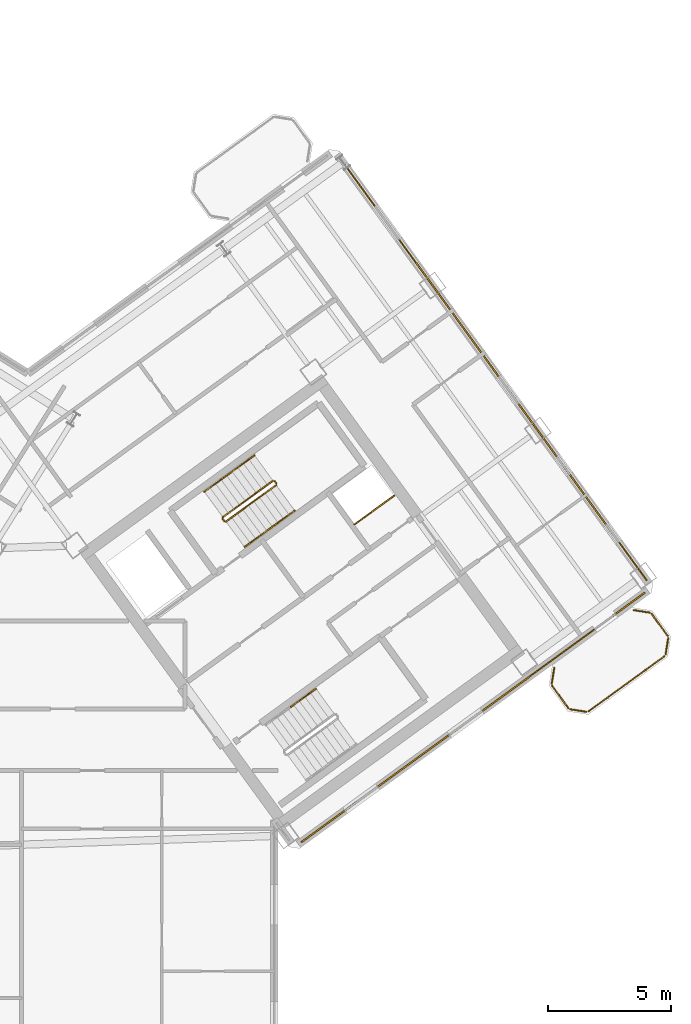
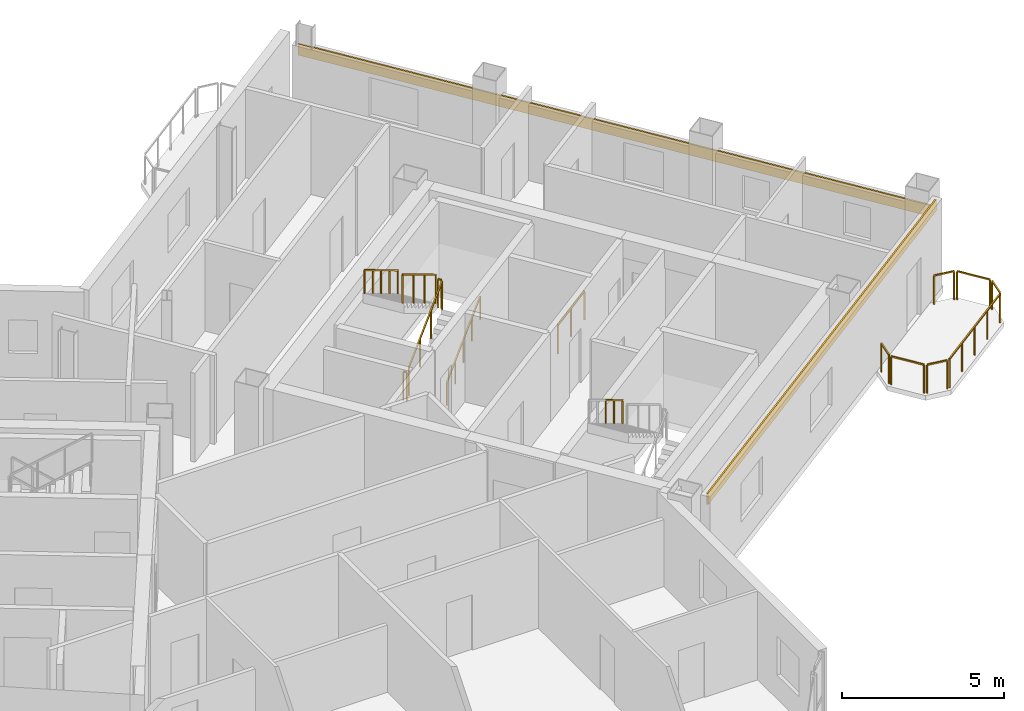
# One storey, part 20 of 21: 17 railings, 2 coverings.
"""IFC4 building model written with IfcOpenShell, lengths in metres."""

from ifc_helpers import new_model, si_unit, direction, frame, origin, origin_2d, place, context, subcontext, project, spatial, rectangle, extrude, source, transform, mapped, material, layer, layer_set, type_object, element, save


model = new_model("IFC4")

# Units and contexts
model_context = context("Model", 3, precision=1e-05, world=origin(), true_north=direction((0.0, 1.0)))
body_context = subcontext(model_context, "Body", "Model", "MODEL_VIEW")
ifc_project = project(units=[si_unit("LENGTHUNIT", "METRE"), si_unit("AREAUNIT", "SQUARE_METRE"), si_unit("VOLUMEUNIT", "CUBIC_METRE"), si_unit("PLANEANGLEUNIT", "RADIAN"), si_unit("MASSUNIT", "GRAM", prefix="KILO")], contexts=[model_context])

# Site, building, storey
site_placement = place(None, origin())
site = spatial("IfcSite", under=ifc_project, at=site_placement, CompositionType="ELEMENT")
building_placement = place(site_placement, origin())
building = spatial("IfcBuilding", under=site, at=building_placement, Name="Tlacorven Tower", CompositionType="ELEMENT")
storey_placement = place(building_placement, frame((0.0, 0.0, 222.0)))
storey = spatial("IfcBuildingStorey", under=building, at=storey_placement, Name="L56", CompositionType="ELEMENT", Elevation=222.0)

# Railings
ifc_material_1 = material(Name="Aluminium and painted steel balustrade", Category="steel")
railing_type_1 = type_object("IfcRailingType", Name="RL-GRD-1100", PredefinedType="GUARDRAIL", material=ifc_material_1)
shared_shape_1 = source(origin(), body_context, "Body", "SweptSolid", [
    extrude(rectangle(XDim=0.048095703125, YDim=0.048095703125, at=origin_2d()), frame((0.0, 0.0, 1.076171875), z_axis=(0.808947177504, 0.587881334972, 0.0), x_axis=(-0.587881334972, 0.808947177504, 0.0)), (0.0, 0.0, 1.0), 2.0),
    extrude(rectangle(XDim=0.0419921875, YDim=0.0419921875, at=origin_2d()), origin(), (0.0, 0.0, 1.0), 1.052001953125),
    extrude(rectangle(XDim=0.0419921875, YDim=0.0419921875, at=origin_2d()), frame((0.80908203125, 0.587890625, 0.0)), (0.0, 0.0, 1.0), 1.052001953125),
    extrude(rectangle(XDim=0.0419921875, YDim=0.0419921875, at=origin_2d()), frame((1.617919921875, 1.17578125, 0.0)), (0.0, 0.0, 1.0), 1.052001953125),
])
railing_1_placement = place(storey_placement, frame((55.506103515625, 25.438232421875, 0.0)))
element("IfcRailing", 1, at=railing_1_placement, inside=storey, type_object=railing_type_1, Name="L56 Electrical Riser E Shaft Guard 1", PredefinedType="GUARDRAIL", context=body_context, shape_type="MappedRepresentation", body=[
    mapped(shared_shape_1, transform((0.0, 0.0, 0.0), scale=1.0)),
])
railing_type_2 = type_object("IfcRailingType", Name="RL-BAL-1100", PredefinedType="BALUSTRADE", material=ifc_material_1)
shared_shape_2 = source(origin(), body_context, "Body", "SweptSolid", [
    extrude(rectangle(XDim=0.048095703125, YDim=0.048095703125, at=origin_2d()), frame((0.0, 0.0, 1.076171875), z_axis=(0.156602868908, 0.987661653326, 0.0), x_axis=(-0.987661653326, 0.156602868908, 0.0)), (0.0, 0.0, 1.0), 0.665771484375),
    extrude(rectangle(XDim=0.0419921875, YDim=0.0419921875, at=origin_2d()), origin(), (0.0, 0.0, 1.0), 1.052001953125),
    extrude(rectangle(XDim=0.0419921875, YDim=0.0419921875, at=origin_2d()), frame((0.104248046875, 0.657470703125, 0.0)), (0.0, 0.0, 1.0), 1.052001953125),
])
railing_2_placement = place(storey_placement, frame((63.539306640625, 18.949951171875, 0.0)))
element("IfcRailing", 2, at=railing_2_placement, inside=storey, type_object=railing_type_2, Name="BAL-L56-E-OUT Guard Railing 3", PredefinedType="BALUSTRADE", context=body_context, shape_type="MappedRepresentation", body=[
    mapped(shared_shape_2, transform((0.0, 0.0, 0.0), scale=1.0)),
])
shared_shape_3 = source(origin(), body_context, "Body", "SweptSolid", [
    extrude(rectangle(XDim=0.048095703125, YDim=0.048095703125, at=origin_2d()), frame((0.0, 0.0, 1.076171875), z_axis=(0.58788449985, -0.808944877501, 0.0), x_axis=(0.808944877501, 0.58788449985, 0.0)), (0.0, 0.0, 1.0), 1.112060546875),
    extrude(rectangle(XDim=0.0419921875, YDim=0.0419921875, at=origin_2d()), origin(), (0.0, 0.0, 1.0), 1.052001953125),
    extrude(rectangle(XDim=0.0419921875, YDim=0.0419921875, at=origin_2d()), frame((0.65380859375, -0.899658203125, 0.0)), (0.0, 0.0, 1.0), 1.052001953125),
])
railing_3_placement = place(storey_placement, frame((67.60595703125, 21.799072265625, 0.0)))
element("IfcRailing", 3, at=railing_3_placement, inside=storey, type_object=railing_type_2, Name="BAL-L56-E-OUT Guard Railing 5", PredefinedType="BALUSTRADE", context=body_context, shape_type="MappedRepresentation", body=[
    mapped(shared_shape_3, transform((0.0, 0.0, 0.0), scale=1.0)),
])
shared_shape_4 = source(origin(), body_context, "Body", "SweptSolid", [
    extrude(rectangle(XDim=0.048095703125, YDim=0.048095703125, at=origin_2d()), frame((0.0, 0.0, 1.076171875), z_axis=(-0.809018102573, -0.587783726986, 0.0), x_axis=(0.587783726986, -0.809018102573, 0.0)), (0.0, 0.0, 1.0), 3.817138671875),
    extrude(rectangle(XDim=0.0419921875, YDim=0.0419921875, at=origin_2d()), origin(), (0.0, 0.0, 1.0), 1.052001953125),
    extrude(rectangle(XDim=0.0419921875, YDim=0.0419921875, at=origin_2d()), frame((-0.77197265625, -0.56103515625, 0.0)), (0.0, 0.0, 1.0), 1.052001953125),
    extrude(rectangle(XDim=0.0419921875, YDim=0.0419921875, at=origin_2d()), frame((-1.5439453125, -1.121826171875, 0.0)), (0.0, 0.0, 1.0), 1.052001953125),
    extrude(rectangle(XDim=0.0419921875, YDim=0.0419921875, at=origin_2d()), frame((-2.316162109375, -1.6826171875, 0.0)), (0.0, 0.0, 1.0), 1.052001953125),
    extrude(rectangle(XDim=0.0419921875, YDim=0.0419921875, at=origin_2d()), frame((-3.088134765625, -2.24365234375, 0.0)), (0.0, 0.0, 1.0), 1.052001953125),
])
railing_4_placement = place(storey_placement, frame((68.12890625, 20.0732421875, 0.0)))
element("IfcRailing", 4, at=railing_4_placement, inside=storey, type_object=railing_type_2, Name="BAL-L56-E-OUT Guard Railing 7", PredefinedType="BALUSTRADE", context=body_context, shape_type="MappedRepresentation", body=[
    mapped(shared_shape_4, transform((0.0, 0.0, 0.0), scale=1.0)),
])
shared_shape_5 = source(origin(), body_context, "Body", "SweptSolid", [
    extrude(rectangle(XDim=0.048095703125, YDim=0.048095703125, at=origin_2d()), frame((0.0, 0.0, 1.076171875), z_axis=(-0.987718317463, 0.156245081039, 0.0), x_axis=(-0.156245081039, -0.987718317463, 0.0)), (0.0, 0.0, 1.0), 0.66552734375),
    extrude(rectangle(XDim=0.0419921875, YDim=0.0419921875, at=origin_2d()), origin(), (0.0, 0.0, 1.0), 1.052001953125),
    extrude(rectangle(XDim=0.0419921875, YDim=0.0419921875, at=origin_2d()), frame((-0.657470703125, 0.10400390625, 0.0)), (0.0, 0.0, 1.0), 1.052001953125),
])
railing_5_placement = place(storey_placement, frame((64.950927734375, 17.80810546875, 0.0)))
element("IfcRailing", 5, at=railing_5_placement, inside=storey, type_object=railing_type_2, Name="BAL-L56-E-OUT Guard Railing 1", PredefinedType="BALUSTRADE", context=body_context, shape_type="MappedRepresentation", body=[
    mapped(shared_shape_5, transform((0.0, 0.0, 0.0), scale=1.0)),
])
shared_shape_6 = source(origin(), body_context, "Body", "SweptSolid", [
    extrude(rectangle(XDim=0.048095703125, YDim=0.048095703125, at=origin_2d()), frame((0.0, 0.0, 1.076171875), z_axis=(-0.587740817519, 0.809049276263, 0.0), x_axis=(-0.809049276263, -0.587740817519, 0.0)), (0.0, 0.0, 1.0), 1.112060546875),
    extrude(rectangle(XDim=0.0419921875, YDim=0.0419921875, at=origin_2d()), origin(), (0.0, 0.0, 1.0), 1.052001953125),
    extrude(rectangle(XDim=0.0419921875, YDim=0.0419921875, at=origin_2d()), frame((-0.653564453125, 0.899658203125, 0.0)), (0.0, 0.0, 1.0), 1.052001953125),
])
railing_6_placement = place(storey_placement, frame((64.214599609375, 17.96044921875, 0.0)))
element("IfcRailing", 6, at=railing_6_placement, inside=storey, type_object=railing_type_2, Name="BAL-L56-E-OUT Guard Railing 2", PredefinedType="BALUSTRADE", context=body_context, shape_type="MappedRepresentation", body=[
    mapped(shared_shape_6, transform((0.0, 0.0, 0.0), scale=1.0)),
])
shared_shape_7 = source(origin(), body_context, "Body", "SweptSolid", [
    extrude(rectangle(XDim=0.048095703125, YDim=0.048095703125, at=origin_2d()), frame((0.0, 0.0, 1.076171875), z_axis=(-0.156245081039, -0.987718317463, 0.0), x_axis=(0.987718317463, -0.156245081039, 0.0)), (0.0, 0.0, 1.0), 0.66552734375),
    extrude(rectangle(XDim=0.0419921875, YDim=0.0419921875, at=origin_2d()), origin(), (0.0, 0.0, 1.0), 1.052001953125),
    extrude(rectangle(XDim=0.0419921875, YDim=0.0419921875, at=origin_2d()), frame((-0.10400390625, -0.657470703125, 0.0)), (0.0, 0.0, 1.0), 1.052001953125),
])
railing_7_placement = place(storey_placement, frame((68.28125, 20.8095703125, 0.0)))
element("IfcRailing", 7, at=railing_7_placement, inside=storey, type_object=railing_type_2, Name="BAL-L56-E-OUT Guard Railing 6", PredefinedType="BALUSTRADE", context=body_context, shape_type="MappedRepresentation", body=[
    mapped(shared_shape_7, transform((0.0, 0.0, 0.0), scale=1.0)),
])

# Coverings
ifc_material_2 = material(Name="Precast concrete C45/55", Category="concrete")
ifc_layer = layer(ifc_material_2, 0.06005859375)
ifc_layer_set = layer_set([ifc_layer], Name="Precast concrete C45/55")
covering_type = type_object("IfcCoveringType", Name="CV-CLD-TERC", PredefinedType="CLADDING", material=ifc_layer_set)
shared_shape_8 = source(origin(), body_context, "Body", "SweptSolid", [
    extrude(rectangle(XDim=21.287353515625, YDim=0.06005859375, at=origin_2d()), origin(), (0.0, 0.0, 1.0), 0.419921875),
])
covering_1_placement = place(storey_placement, frame((61.15478515625, 31.767333984375, 2.405029296875), z_axis=(0.0, 0.0, 1.0), x_axis=(0.587785363163, -0.809016913823, 0.0)))
element("IfcCovering", 8, at=covering_1_placement, inside=storey, type_object=covering_type, Name="L56 Masonry-Frame Spandrel Cladding 5", PredefinedType="CLADDING", context=body_context, shape_type="MappedRepresentation", body=[
    mapped(shared_shape_8, transform((0.0, 0.0, 0.0), scale=1.0)),
])
shared_shape_9 = source(origin(), body_context, "Body", "SweptSolid", [
    extrude(rectangle(XDim=17.287353515625, YDim=0.06005859375, at=origin_2d()), origin(), (0.0, 0.0, 1.0), 0.419921875),
])
covering_2_placement = place(storey_placement, frame((60.339111328125, 17.578125, 2.929931640625), z_axis=(0.0, 0.0, 1.0), x_axis=(-0.809016829126, -0.587785479738, 0.0)))
element("IfcCovering", 9, at=covering_2_placement, inside=storey, type_object=covering_type, Name="L56 Masonry-Frame Spandrel Cladding 6", PredefinedType="CLADDING", context=body_context, shape_type="MappedRepresentation", body=[
    mapped(shared_shape_9, transform((0.0, 0.0, 0.0), scale=1.0)),
])

# Railings
shared_shape_10 = source(origin(), body_context, "Body", "SweptSolid", [
    extrude(rectangle(XDim=0.048095703125, YDim=0.048095703125, at=origin_2d()), frame((0.0, 0.0, 1.076171875), z_axis=(0.987727266442, -0.156188498702, 0.0), x_axis=(0.156188498702, 0.987727266442, 0.0)), (0.0, 0.0, 1.0), 0.665771484375),
    extrude(rectangle(XDim=0.0419921875, YDim=0.0419921875, at=origin_2d()), origin(), (0.0, 0.0, 1.0), 1.052001953125),
    extrude(rectangle(XDim=0.0419921875, YDim=0.0419921875, at=origin_2d()), frame((0.65771484375, -0.10400390625, 0.0)), (0.0, 0.0, 1.0), 1.052001953125),
])
railing_8_placement = place(storey_placement, frame((66.86962890625, 21.951416015625, 0.0)))
element("IfcRailing", 10, at=railing_8_placement, inside=storey, type_object=railing_type_2, Name="BAL-L56-E-OUT Guard Railing 4", PredefinedType="BALUSTRADE", context=body_context, shape_type="MappedRepresentation", body=[
    mapped(shared_shape_10, transform((0.0, 0.0, 0.0), scale=1.0)),
])
shared_shape_11 = source(origin(), body_context, "Body", "SweptSolid", [
    extrude(rectangle(XDim=0.048095703125, YDim=0.048095703125, at=origin_2d()), frame((0.0, 0.0, 1.076171875), z_axis=(-0.587201422542, 0.809440849824, 0.0), x_axis=(-0.809440849824, -0.587201422542, 0.0)), (0.0, 0.0, 1.0), 0.11962890625),
    extrude(rectangle(XDim=0.0419921875, YDim=0.0419921875, at=origin_2d()), origin(), (0.0, 0.0, 1.0), 1.052001953125),
    extrude(rectangle(XDim=0.0419921875, YDim=0.0419921875, at=origin_2d()), frame((-0.0703125, 0.096923828125, 0.0)), (0.0, 0.0, 1.0), 1.052001953125),
])
for number, where, name in (
    (11, (52.326904296875, 27.10888671875, 1.800048828125), "L56 ST-E1 stair guard 2"),
    (12, (50.207275390625, 25.56884765625, 0.0), "L56 ST-E1 stair guard 4"),
):
    element("IfcRailing", number, at=place(storey_placement, frame(where)), inside=storey, type_object=railing_type_1, Name=name, PredefinedType="GUARDRAIL", context=body_context, shape_type="MappedRepresentation", body=[
        mapped(shared_shape_11, transform((0.0, 0.0, 0.0), scale=1.0)),
    ])
shared_shape_12 = source(origin(), body_context, "Body", "SweptSolid", [
    extrude(rectangle(XDim=0.048095703125, YDim=0.048095703125, at=origin_2d()), frame((0.0, 0.0, 1.076171875), z_axis=(0.680488636597, 0.494434078831, 0.540805100894), x_axis=(-0.5878087079, 0.808999952359, 0.0)), (0.0, 0.0, 1.0), 2.995849609375),
    extrude(rectangle(XDim=0.0419921875, YDim=0.0419921875, at=origin_2d()), origin(), (0.0, 0.0, 1.0), 1.052001953125),
    extrude(rectangle(XDim=0.0419921875, YDim=0.0419921875, at=origin_2d()), frame((0.679443359375, 0.49365234375, 0.5400390625)), (0.0, 0.0, 1.0), 1.052001953125),
    extrude(rectangle(XDim=0.0419921875, YDim=0.0419921875, at=origin_2d()), frame((1.359130859375, 0.987548828125, 1.080078125)), (0.0, 0.0, 1.0), 1.052001953125),
    extrude(rectangle(XDim=0.0419921875, YDim=0.0419921875, at=origin_2d()), frame((2.03857421875, 1.481201171875, 1.6201171875)), (0.0, 0.0, 1.0), 1.052001953125),
])
railing_9_placement = place(storey_placement, frame((50.27734375, 25.557861328125, 0.179931640625)))
element("IfcRailing", 13, at=railing_9_placement, inside=storey, type_object=railing_type_1, Name="L56 ST-E1 stair guard 1", PredefinedType="GUARDRAIL", context=body_context, shape_type="MappedRepresentation", body=[
    mapped(shared_shape_12, transform((0.0, 0.0, 0.0), scale=1.0)),
])
shared_shape_13 = source(origin(), body_context, "Body", "SweptSolid", [
    extrude(rectangle(XDim=0.048095703125, YDim=0.048095703125, at=origin_2d()), frame((0.0, 0.0, 1.076171875), z_axis=(-0.680488636597, -0.494434078831, 0.540805100894), x_axis=(0.5878087079, -0.808999952359, 0.0)), (0.0, 0.0, 1.0), 2.995849609375),
    extrude(rectangle(XDim=0.0419921875, YDim=0.0419921875, at=origin_2d()), origin(), (0.0, 0.0, 1.0), 1.052001953125),
    extrude(rectangle(XDim=0.0419921875, YDim=0.0419921875, at=origin_2d()), frame((-0.679443359375, -0.49365234375, 0.5400390625)), (0.0, 0.0, 1.0), 1.052001953125),
    extrude(rectangle(XDim=0.0419921875, YDim=0.0419921875, at=origin_2d()), frame((-1.359130859375, -0.987548828125, 1.080078125)), (0.0, 0.0, 1.0), 1.052001953125),
    extrude(rectangle(XDim=0.0419921875, YDim=0.0419921875, at=origin_2d()), frame((-2.03857421875, -1.481201171875, 1.6201171875)), (0.0, 0.0, 1.0), 1.052001953125),
])
railing_10_placement = place(storey_placement, frame((52.1865234375, 27.217041015625, 1.97998046875)))
element("IfcRailing", 14, at=railing_10_placement, inside=storey, type_object=railing_type_1, Name="L56 ST-E1 stair guard 3", PredefinedType="GUARDRAIL", context=body_context, shape_type="MappedRepresentation", body=[
    mapped(shared_shape_13, transform((0.0, 0.0, 0.0), scale=1.0)),
])
railing_type_3 = type_object("IfcRailingType", Name="RL-HND-0900", PredefinedType="HANDRAIL", material=ifc_material_1)
shared_shape_14 = source(origin(), body_context, "Body", "SweptSolid", [
    extrude(rectangle(XDim=0.048095703125, YDim=0.048095703125, at=origin_2d()), frame((0.0, 0.0, 0.8759765625), z_axis=(0.680516055757, 0.494372502302, 0.540826891737), x_axis=(-0.587745292299, 0.809046025502, 0.0)), (0.0, 0.0, 1.0), 1.497802734375),
    extrude(rectangle(XDim=0.0419921875, YDim=0.0419921875, at=origin_2d()), origin(), (0.0, 0.0, 1.0), 0.851806640625),
    extrude(rectangle(XDim=0.0419921875, YDim=0.0419921875, at=origin_2d()), frame((0.509765625, 0.3701171875, 0.405029296875)), (0.0, 0.0, 1.0), 0.851806640625),
    extrude(rectangle(XDim=0.0419921875, YDim=0.0419921875, at=origin_2d()), frame((1.019287109375, 0.740478515625, 0.81005859375)), (0.0, 0.0, 1.0), 0.851806640625),
])
railing_11_placement = place(storey_placement, frame((51.029541015625, 24.522216796875, 0.179931640625)))
element("IfcRailing", 15, at=railing_11_placement, inside=storey, type_object=railing_type_3, Name="L56 ST-E1 stair handrail 1", PredefinedType="HANDRAIL", context=body_context, shape_type="MappedRepresentation", body=[
    mapped(shared_shape_14, transform((0.0, 0.0, 0.0), scale=1.0)),
])
shared_shape_15 = source(origin(), body_context, "Body", "SweptSolid", [
    extrude(rectangle(XDim=0.048095703125, YDim=0.048095703125, at=origin_2d()), frame((0.0, 0.0, 0.8759765625), z_axis=(0.680548719995, 0.49444080854, 0.540723336433), x_axis=(-0.587779977844, 0.80902082646, 0.0)), (0.0, 0.0, 1.0), 1.498046875),
    extrude(rectangle(XDim=0.0419921875, YDim=0.0419921875, at=origin_2d()), origin(), (0.0, 0.0, 1.0), 0.851806640625),
    extrude(rectangle(XDim=0.0419921875, YDim=0.0419921875, at=origin_2d()), frame((0.509765625, 0.370361328125, 0.405029296875)), (0.0, 0.0, 1.0), 0.851806640625),
    extrude(rectangle(XDim=0.0419921875, YDim=0.0419921875, at=origin_2d()), frame((1.01953125, 0.74072265625, 0.81005859375)), (0.0, 0.0, 1.0), 0.851806640625),
])
railing_12_placement = place(storey_placement, frame((52.048828125, 25.2626953125, 0.989990234375)))
element("IfcRailing", 16, at=railing_12_placement, inside=storey, type_object=railing_type_3, Name="L56 ST-E1 stair handrail 2", PredefinedType="HANDRAIL", context=body_context, shape_type="MappedRepresentation", body=[
    mapped(shared_shape_15, transform((0.0, 0.0, 0.0), scale=1.0)),
])
shared_shape_16 = source(origin(), body_context, "Body", "SweptSolid", [
    extrude(rectangle(XDim=0.048095703125, YDim=0.048095703125, at=origin_2d()), frame((0.0, 0.0, 0.8759765625), z_axis=(-0.680603554404, -0.494317667746, 0.540766904577), x_axis=(0.587653156371, -0.809112951205, 0.0)), (0.0, 0.0, 1.0), 1.498046875),
    extrude(rectangle(XDim=0.0419921875, YDim=0.0419921875, at=origin_2d()), origin(), (0.0, 0.0, 1.0), 0.851806640625),
    extrude(rectangle(XDim=0.0419921875, YDim=0.0419921875, at=origin_2d()), frame((-0.509765625, -0.3701171875, 0.405029296875)), (0.0, 0.0, 1.0), 0.851806640625),
    extrude(rectangle(XDim=0.0419921875, YDim=0.0419921875, at=origin_2d()), frame((-1.01953125, -0.740478515625, 0.81005859375)), (0.0, 0.0, 1.0), 0.851806640625),
])
railing_13_placement = place(storey_placement, frame((51.434326171875, 28.25244140625, 1.97998046875)))
element("IfcRailing", 17, at=railing_13_placement, inside=storey, type_object=railing_type_3, Name="L56 ST-E1 stair handrail 3", PredefinedType="HANDRAIL", context=body_context, shape_type="MappedRepresentation", body=[
    mapped(shared_shape_16, transform((0.0, 0.0, 0.0), scale=1.0)),
])
shared_shape_17 = source(origin(), body_context, "Body", "SweptSolid", [
    extrude(rectangle(XDim=0.048095703125, YDim=0.048095703125, at=origin_2d()), frame((0.0, 0.0, 0.8759765625), z_axis=(-0.680461216233, -0.494495647917, 0.540783309093), x_axis=(0.587872112667, -0.808953879494, 0.0)), (0.0, 0.0, 1.0), 1.498046875),
    extrude(rectangle(XDim=0.0419921875, YDim=0.0419921875, at=origin_2d()), origin(), (0.0, 0.0, 1.0), 0.851806640625),
    extrude(rectangle(XDim=0.0419921875, YDim=0.0419921875, at=origin_2d()), frame((-0.509765625, -0.370361328125, 0.405029296875)), (0.0, 0.0, 1.0), 0.851806640625),
    extrude(rectangle(XDim=0.0419921875, YDim=0.0419921875, at=origin_2d()), frame((-1.019287109375, -0.74072265625, 0.81005859375)), (0.0, 0.0, 1.0), 0.851806640625),
])
railing_14_placement = place(storey_placement, frame((50.414794921875, 27.511962890625, 2.7900390625)))
element("IfcRailing", 18, at=railing_14_placement, inside=storey, type_object=railing_type_3, Name="L56 ST-E1 stair handrail 4", PredefinedType="HANDRAIL", context=body_context, shape_type="MappedRepresentation", body=[
    mapped(shared_shape_17, transform((0.0, 0.0, 0.0), scale=1.0)),
])
shared_shape_18 = source(origin(), body_context, "Body", "SweptSolid", [
    extrude(rectangle(XDim=0.048095703125, YDim=0.048095703125, at=origin_2d()), frame((0.0, 0.0, 0.8759765625), z_axis=(-0.680516055757, -0.494372502302, 0.540826891737), x_axis=(0.587745292299, -0.809046025502, 0.0)), (0.0, 0.0, 1.0), 1.497802734375),
    extrude(rectangle(XDim=0.0419921875, YDim=0.0419921875, at=origin_2d()), origin(), (0.0, 0.0, 1.0), 0.851806640625),
    extrude(rectangle(XDim=0.0419921875, YDim=0.0419921875, at=origin_2d()), frame((-0.509765625, -0.3701171875, 0.405029296875)), (0.0, 0.0, 1.0), 0.851806640625),
    extrude(rectangle(XDim=0.0419921875, YDim=0.0419921875, at=origin_2d()), frame((-1.019287109375, -0.740478515625, 0.81005859375)), (0.0, 0.0, 1.0), 0.851806640625),
])
railing_15_placement = place(storey_placement, frame((53.938232421875, 18.749267578125, 1.97998046875)))
element("IfcRailing", 19, at=railing_15_placement, inside=storey, type_object=railing_type_3, Name="L56 ST-E2 stair handrail 3", PredefinedType="HANDRAIL", context=body_context, shape_type="MappedRepresentation", body=[
    mapped(shared_shape_18, transform((0.0, 0.0, 0.0), scale=1.0)),
])

save(model, "model.ifc")
